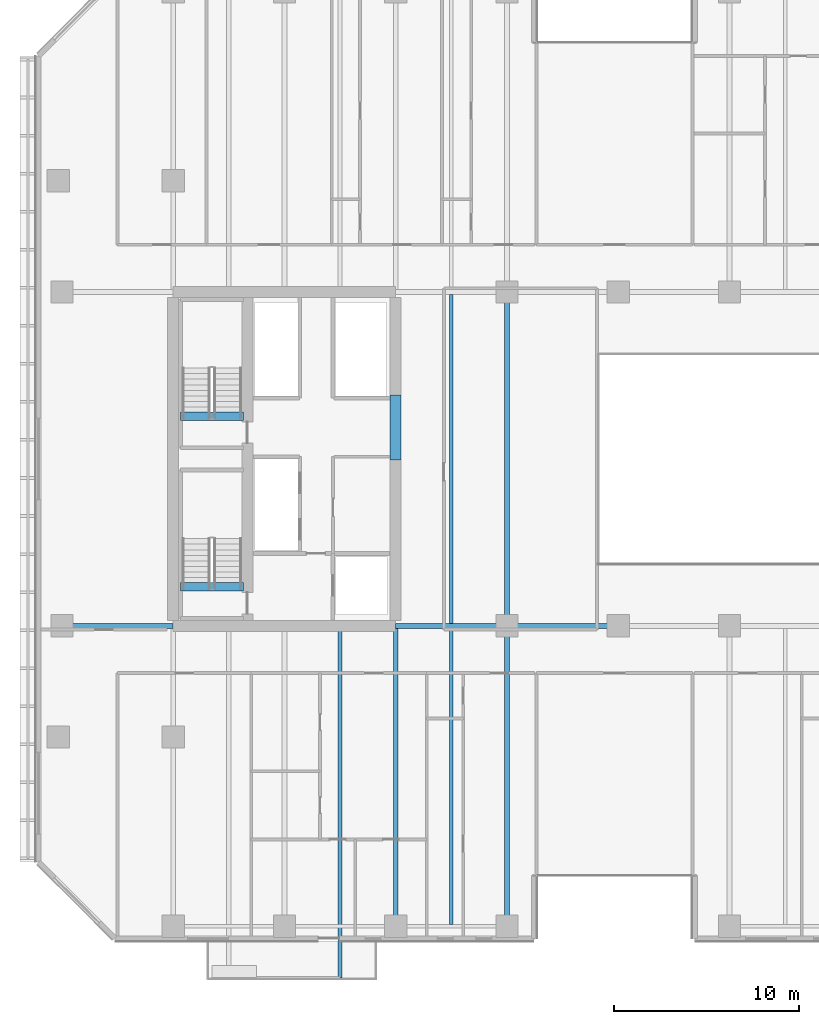
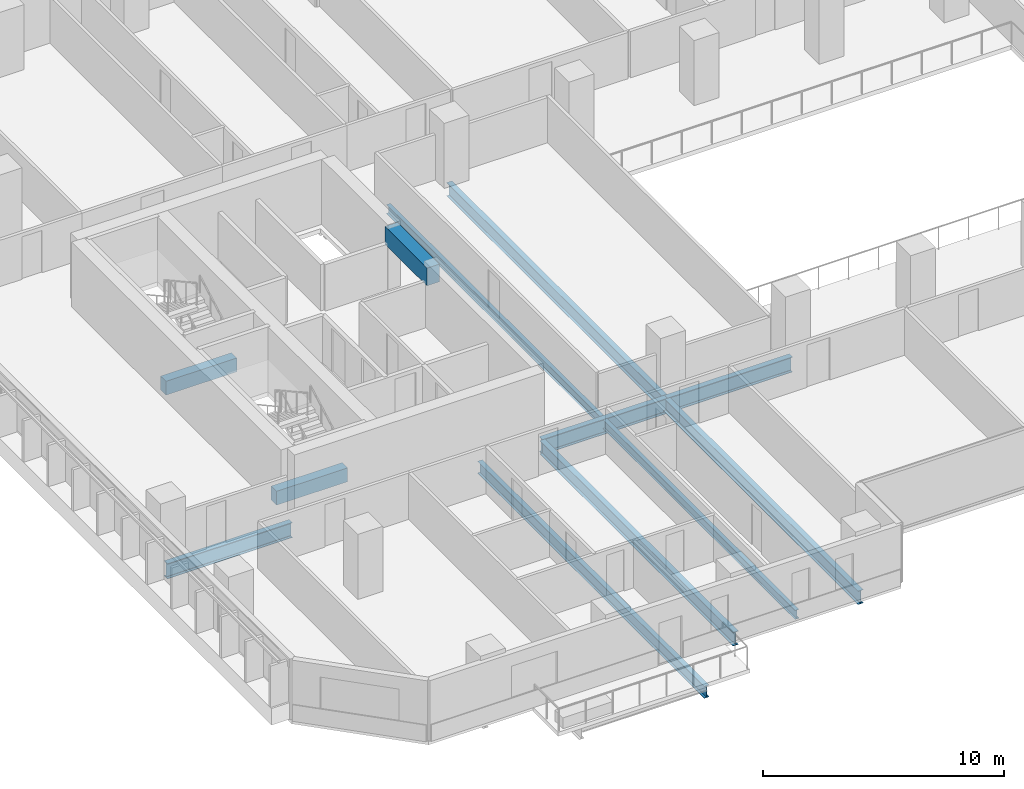
# One storey, part 3 of 26: 12 beams.
"""IFC4 building model written with IfcOpenShell, lengths in metres."""

from ifc_helpers import new_model, si_unit, direction, frame, origin, origin_2d, place, context, subcontext, project, spatial, rectangle, i_section, extrude, material, material_profile, profile_set, type_object, element, save


model = new_model("IFC4")

# Units and contexts
model_context = context("Model", 3, precision=1e-05, world=origin(), true_north=direction((0.0, 1.0)))
body_context = subcontext(model_context, "Body", "Model", "MODEL_VIEW")
ifc_project = project(units=[si_unit("LENGTHUNIT", "METRE"), si_unit("AREAUNIT", "SQUARE_METRE"), si_unit("VOLUMEUNIT", "CUBIC_METRE"), si_unit("PLANEANGLEUNIT", "RADIAN"), si_unit("MASSUNIT", "GRAM", prefix="KILO")], contexts=[model_context])

# Site, building, storey
site_placement = place(None, origin())
site = spatial("IfcSite", under=ifc_project, at=site_placement, CompositionType="ELEMENT")
building_placement = place(site_placement, origin())
building = spatial("IfcBuilding", under=site, at=building_placement, Name="Tanjung Sevakor Pilgrim Tower", CompositionType="ELEMENT")
storey_placement = place(building_placement, frame((0.0, 0.0, 48.840087890625)))
storey = spatial("IfcBuildingStorey", under=building, at=storey_placement, Name="L13", CompositionType="ELEMENT", Elevation=48.840087890625)

# Beams
ifc_material_1 = material(Name="Steel S355J2", Category="steel")
ifc_material_profile_1 = material_profile(ifc_material_1, i_section(OverallWidth=0.26806640625, OverallDepth=0.769775390625, WebThickness=0.015625, FlangeThickness=0.025390625, FilletRadius=0.0166015625, at=origin_2d()))
ifc_profile_set_1 = profile_set([ifc_material_profile_1], Name="Steel S355J2")
beam_type_1 = type_object("IfcBeamType", Name="BM-B-G1-UB_762x267x197", PredefinedType="BEAM", material=ifc_profile_set_1)
for number, where, z_axis, x_axis, name in (
    (1, (18.0, 24.60009765625, -0.60498046875), (1.0, 0.0, 0.0), (0.0, 1.0, 0.0), "L13 Primary Floor Girder MAIN Y246-01"),
    (2, (36.0, 24.60009765625, -0.60498046875), (1.0, 0.0, 0.0), (0.0, 1.0, 0.0), "L13 Primary Floor Girder MAIN Y246-02"),
    (3, (42.0, 24.60009765625, -0.60498046875), (1.0, 0.0, 0.0), (0.0, 1.0, 0.0), "L13 Primary Floor Girder MAIN Y246-03"),
):
    element("IfcBeam", number, at=place(storey_placement, frame(where, z_axis=z_axis, x_axis=x_axis)), inside=storey, type_object=beam_type_1, Name=name, PredefinedType="BEAM", context=body_context, shape_type="SweptSolid", body=[
        extrude(i_section(OverallWidth=0.26806640625, OverallDepth=0.769775390625, WebThickness=0.015625, FlangeThickness=0.025390625, FilletRadius=0.0166015625, at=origin_2d()), origin(), (0.0, 0.0, 1.0), 6.0),
    ])
ifc_material_2 = material(Name="Steel S355J2", Category="steel")
ifc_material_profile_2 = material_profile(ifc_material_2, i_section(OverallWidth=0.25439453125, OverallDepth=0.6875, WebThickness=0.01318359375, FlangeThickness=0.02099609375, FilletRadius=0.01513671875, at=origin_2d()))
ifc_profile_set_2 = profile_set([ifc_material_profile_2], Name="Steel S355J2")
beam_type_2 = type_object("IfcBeamType", Name="BM-B-G2-UB_686x254x152", PredefinedType="BEAM", material=ifc_profile_set_2)
beam_1_placement = place(storey_placement, frame((36.0, 8.39990234375, -0.56396484375), z_axis=(0.0, 1.0, 0.0), x_axis=(-1.0, 0.0, 0.0)))
element("IfcBeam", 4, at=beam_1_placement, inside=storey, type_object=beam_type_2, Name="L13 MAIN Girder 005", PredefinedType="BEAM", context=body_context, shape_type="SweptSolid", body=[
    extrude(i_section(OverallWidth=0.25439453125, OverallDepth=0.6875, WebThickness=0.01318359375, FlangeThickness=0.02099609375, FilletRadius=0.01513671875, at=origin_2d()), origin(), (0.0, 0.0, 1.0), 16.066162109375),
])
beam_2_placement = place(storey_placement, frame((42.0, 8.39990234375, -0.56396484375), z_axis=(0.0, 1.0, 0.0), x_axis=(-1.0, 0.0, 0.0)))
element("IfcBeam", 5, at=beam_2_placement, inside=storey, type_object=beam_type_2, Name="L13 MAIN Girder 010", PredefinedType="BEAM", context=body_context, shape_type="SweptSolid", body=[
    extrude(i_section(OverallWidth=0.25439453125, OverallDepth=0.6875, WebThickness=0.01318359375, FlangeThickness=0.02099609375, FilletRadius=0.01513671875, at=origin_2d()), origin(), (0.0, 0.0, 1.0), 16.2001953125),
])
beam_3_placement = place(storey_placement, frame((42.0, 24.60009765625, -0.56396484375), z_axis=(0.0, 1.0, 0.0), x_axis=(-1.0, 0.0, 0.0)))
element("IfcBeam", 6, at=beam_3_placement, inside=storey, type_object=beam_type_2, Name="L13 MAIN Girder 011", PredefinedType="BEAM", context=body_context, shape_type="SweptSolid", body=[
    extrude(i_section(OverallWidth=0.25439453125, OverallDepth=0.6875, WebThickness=0.01318359375, FlangeThickness=0.02099609375, FilletRadius=0.01513671875, at=origin_2d()), origin(), (0.0, 0.0, 1.0), 18.0),
])
ifc_material_3 = material(Name="Steel S355J2", Category="steel")
ifc_material_profile_3 = material_profile(ifc_material_3, i_section(OverallWidth=0.22900390625, OverallDepth=0.6123046875, WebThickness=0.011962890625, FlangeThickness=0.01953125, FilletRadius=0.0126953125, at=origin_2d()))
ifc_profile_set_3 = profile_set([ifc_material_profile_3], Name="Steel S355J2")
beam_type_3 = type_object("IfcBeamType", Name="BM-B-G4-UB_610x229x125", PredefinedType="BEAM", material=ifc_profile_set_3)
beam_4_placement = place(storey_placement, frame((33.0, 24.466064453125, -0.526123046875), z_axis=(0.0, -1.0, 0.0), x_axis=(1.0, 0.0, 0.0)))
element("IfcBeam", 7, at=beam_4_placement, inside=storey, type_object=beam_type_3, Name="L13 Balcony Cantilever Beam MAIN-S1-2", PredefinedType="BEAM", context=body_context, shape_type="SweptSolid", body=[
    extrude(i_section(OverallWidth=0.22900390625, OverallDepth=0.6123046875, WebThickness=0.011962890625, FlangeThickness=0.01953125, FilletRadius=0.0126953125, at=origin_2d()), origin(), (0.0, 0.0, 1.0), 18.845947265625),
])
ifc_material_4 = material(Name="Steel S355J2", Category="steel")
ifc_material_profile_4 = material_profile(ifc_material_4, i_section(OverallWidth=0.19140625, OverallDepth=0.4599609375, WebThickness=0.010009765625, FlangeThickness=0.01611328125, FilletRadius=0.01025390625, at=origin_2d()))
ifc_profile_set_4 = profile_set([ifc_material_profile_4], Name="Steel S355J2")
beam_type_4 = type_object("IfcBeamType", Name="BM-B-J2-UB_457x191x82", PredefinedType="JOIST", material=ifc_profile_set_4)
beam_5_placement = place(storey_placement, frame((39.0, 8.5, -0.4501953125), z_axis=(0.0, 1.0, 0.0), x_axis=(-1.0, 0.0, 0.0)))
element("IfcBeam", 8, at=beam_5_placement, inside=storey, type_object=beam_type_4, Name="L13 MAIN Joist 007", PredefinedType="JOIST", context=body_context, shape_type="SweptSolid", body=[
    extrude(i_section(OverallWidth=0.19140625, OverallDepth=0.4599609375, WebThickness=0.010009765625, FlangeThickness=0.01611328125, FilletRadius=0.01025390625, at=origin_2d()), origin(), (0.0, 0.0, 1.0), 15.966064453125),
])
beam_6_placement = place(storey_placement, frame((39.0, 24.73388671875, -0.4501953125), z_axis=(0.0, 1.0, 0.0), x_axis=(-1.0, 0.0, 0.0)))
element("IfcBeam", 9, at=beam_6_placement, inside=storey, type_object=beam_type_4, Name="L13 MAIN Joist 008", PredefinedType="JOIST", context=body_context, shape_type="SweptSolid", body=[
    extrude(i_section(OverallWidth=0.19140625, OverallDepth=0.4599609375, WebThickness=0.010009765625, FlangeThickness=0.01611328125, FilletRadius=0.01025390625, at=origin_2d()), origin(), (0.0, 0.0, 1.0), 17.732177734375),
])
ifc_material_5 = material(Name="Concrete C60/75", Category="concrete")
ifc_material_profile_5 = material_profile(ifc_material_5, rectangle(XDim=0.60009765625, YDim=0.89990234375, at=origin_2d()))
ifc_profile_set_5 = profile_set([ifc_material_profile_5], Name="Concrete C60/75")
beam_type_5 = type_object("IfcBeamType", Name="BM-B-LN1-RC-BM_600x900", PredefinedType="LINTEL", material=ifc_profile_set_5)
beam_7_placement = place(storey_placement, frame((36.0, 33.550048828125, 2.6298828125), z_axis=(0.0, 1.0, 0.0), x_axis=(-1.0, 0.0, 0.0)))
element("IfcBeam", 10, at=beam_7_placement, inside=storey, type_object=beam_type_5, Name="L13 W Core Coupling Lintel", PredefinedType="LINTEL", context=body_context, shape_type="SweptSolid", body=[
    extrude(rectangle(XDim=0.60009765625, YDim=0.89990234375, at=origin_2d()), origin(), (0.0, 0.0, 1.0), 3.5),
])
ifc_material_6 = material(Name="Concrete C60/75", Category="concrete")
ifc_material_profile_6 = material_profile(ifc_material_6, rectangle(XDim=0.449951171875, YDim=0.699951171875, at=origin_2d()))
ifc_profile_set_6 = profile_set([ifc_material_profile_6], Name="Concrete C60/75")
beam_type_6 = type_object("IfcBeamType", Name="BM-B-LN3-RC-BM_450x700", PredefinedType="LINTEL", material=ifc_profile_set_6)
for number, where, z_axis, x_axis, name in (
    (11, (24.39990234375, 26.699951171875, -0.35009765625), (1.0, 0.0, 0.0), (0.0, 1.0, 0.0), "L13 TS-W1 Stair Threshold Beam"),
    (12, (24.39990234375, 35.89990234375, -0.35009765625), (1.0, 0.0, 0.0), (0.0, 1.0, 0.0), "L13 TS-W2 Stair Threshold Beam"),
):
    element("IfcBeam", number, at=place(storey_placement, frame(where, z_axis=z_axis, x_axis=x_axis)), inside=storey, type_object=beam_type_6, Name=name, PredefinedType="LINTEL", context=body_context, shape_type="SweptSolid", body=[
        extrude(rectangle(XDim=0.449951171875, YDim=0.699951171875, at=origin_2d()), origin(), (0.0, 0.0, 1.0), 3.400146484375),
    ])

save(model, "model.ifc")
